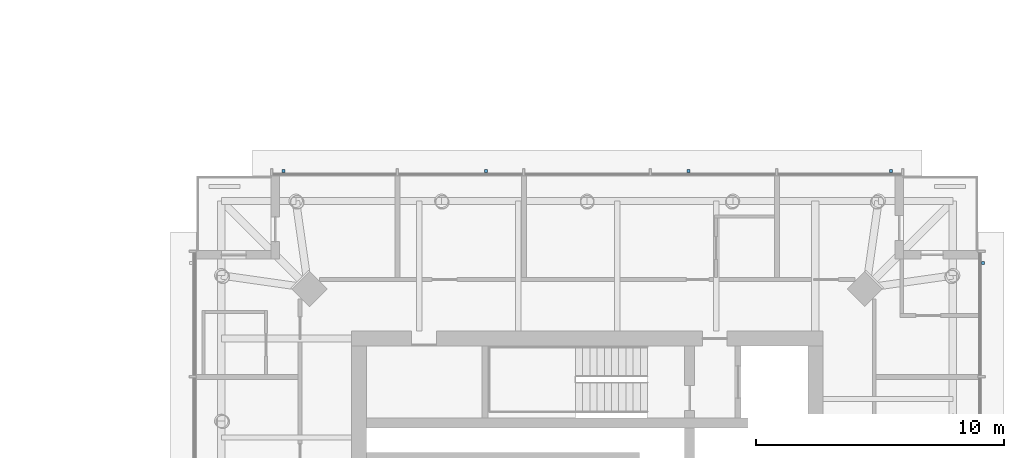
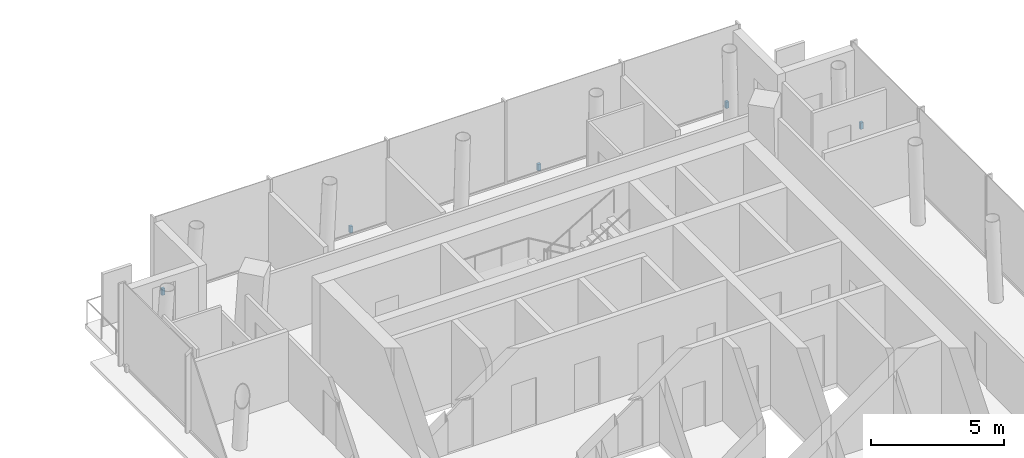
# One storey, part 17 of 19: 5 discrete accessories.
"""IFC4 building model written with IfcOpenShell, lengths in metres."""

from ifc_helpers import new_model, si_unit, direction, frame, origin, origin_2d, place, context, subcontext, project, spatial, rectangle, extrude, material, type_object, element, save


model = new_model("IFC4")

# Units and contexts
model_context = context("Model", 3, precision=1e-05, world=origin(), true_north=direction((0.0, 1.0)))
body_context = subcontext(model_context, "Body", "Model", "MODEL_VIEW")
ifc_project = project(units=[si_unit("LENGTHUNIT", "METRE"), si_unit("AREAUNIT", "SQUARE_METRE"), si_unit("VOLUMEUNIT", "CUBIC_METRE"), si_unit("PLANEANGLEUNIT", "RADIAN"), si_unit("MASSUNIT", "GRAM", prefix="KILO")], contexts=[model_context])

# Site, building, storey
site_placement = place(None, origin())
site = spatial("IfcSite", under=ifc_project, at=site_placement, CompositionType="ELEMENT")
building_placement = place(site_placement, origin())
building = spatial("IfcBuilding", under=site, at=building_placement, Name="Ostroluk Exchange", CompositionType="ELEMENT")
storey_placement = place(building_placement, frame((0.0, 0.0, 119.800048828125)))
storey = spatial("IfcBuildingStorey", under=building, at=storey_placement, Name="L30", CompositionType="ELEMENT", Elevation=119.800048828125)

# Discrete accessories
ifc_material = material(Name="Stainless steel", Category="steel")
discrete_accessory_type = type_object("IfcDiscreteAccessoryType", Name="Fall-arrest anchor PN-EN 795 type C", PredefinedType="USERDEFINED", material=ifc_material)
for number, where, z_axis, x_axis, name in (
    (1, (132.9599609375, 58.25, 0.0), (0.0, 0.0, 1.0), (1.0, 0.0, 0.0), "Fall-arrest anchor L30 east 4"),
    (2, (104.75, 61.9599609375, 0.0), (0.0, 0.0, 1.0), (1.0, 0.0, 0.0), "Fall-arrest anchor L30 north 1"),
    (3, (112.916748046875, 61.9599609375, 0.0), (0.0, 0.0, 1.0), (1.0, 0.0, 0.0), "Fall-arrest anchor L30 north 2"),
    (4, (121.083251953125, 61.9599609375, 0.0), (0.0, 0.0, 1.0), (1.0, 0.0, 0.0), "Fall-arrest anchor L30 north 3"),
    (5, (129.25, 61.9599609375, 0.0), (0.0, 0.0, 1.0), (1.0, 0.0, 0.0), "Fall-arrest anchor L30 north 4"),
):
    element("IfcDiscreteAccessory", number, at=place(storey_placement, frame(where, z_axis=z_axis, x_axis=x_axis)), inside=storey, type_object=discrete_accessory_type, Name=name, ObjectType="FALL ARREST ANCHOR", PredefinedType="USERDEFINED", context=body_context, shape_type="SweptSolid", body=[
        extrude(rectangle(XDim=0.1201171875, YDim=0.1201171875, at=origin_2d()), origin(), (0.0, 0.0, 1.0), 0.300048828125),
    ])

save(model, "model.ifc")
